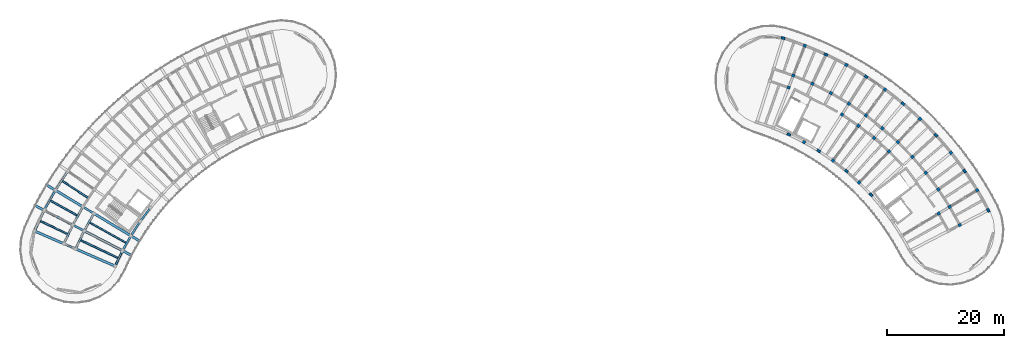
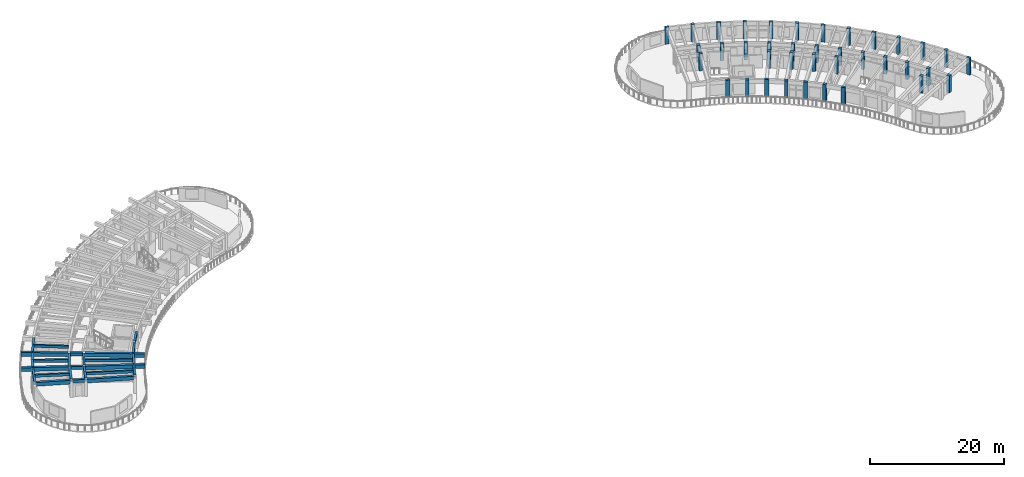
# One storey, part 2 of 32: 38 columns, 25 beams.
"""IFC4 building model written with IfcOpenShell, lengths in metres."""

from ifc_helpers import new_model, si_unit, direction, frame, origin, origin_2d, place, context, subcontext, project, spatial, rectangle, extrude, material, material_profile, profile_set, type_object, element, save


model = new_model("IFC4")

# Units and contexts
model_context = context("Model", 3, precision=1e-05, world=origin(), true_north=direction((0.0, 1.0)))
body_context = subcontext(model_context, "Body", "Model", "MODEL_VIEW")
ifc_project = project(units=[si_unit("LENGTHUNIT", "METRE"), si_unit("AREAUNIT", "SQUARE_METRE"), si_unit("VOLUMEUNIT", "CUBIC_METRE"), si_unit("PLANEANGLEUNIT", "RADIAN"), si_unit("MASSUNIT", "GRAM", prefix="KILO")], contexts=[model_context])

# Site, building, storey
site_placement = place(None, origin())
site = spatial("IfcSite", under=ifc_project, at=site_placement, CompositionType="ELEMENT")
building_placement = place(site_placement, origin())
building = spatial("IfcBuilding", under=site, at=building_placement, Name="Tanwirah Colonnade Gardens", CompositionType="ELEMENT")
storey_placement = place(building_placement, frame((0.0, 0.0, 42.43994140625)))
storey = spatial("IfcBuildingStorey", under=building, at=storey_placement, Name="L12", CompositionType="ELEMENT", Elevation=42.43994140625)

# Columns
ifc_material_1 = material(Name="Precast concrete C45/55", Category="concrete")
ifc_material_profile_1 = material_profile(ifc_material_1, rectangle(XDim=0.52001953125, YDim=0.52001953125, at=origin_2d()), Name="PC-COL 520x520")
ifc_profile_set_1 = profile_set([ifc_material_profile_1], Name="Precast concrete C45/55")
column_type_1 = type_object("IfcColumnType", Name="C-PC520", PredefinedType="COLUMN", material=ifc_profile_set_1)
for number, where, z_axis, x_axis, name in (
    (1, (169.015380859375, 85.01806640625, 0.0), (0.0, 0.0, 1.0), (0.88835024545, 0.459166463723, 0.0), "Block B L12 Column 3-R2"),
    (2, (165.392333984375, 86.990966796875, 0.0), (0.0, 0.0, 1.0), (0.856166891514, 0.516699384434, 0.0), "Block B L12 Column 4-R1"),
    (3, (167.27587890625, 88.127685546875, 0.0), (0.0, 0.0, 1.0), (0.856166891514, 0.516699384434, 0.0), "Block B L12 Column 4-R2"),
    (4, (171.984619140625, 90.969482421875, 0.0), (0.0, 0.0, 1.0), (0.856166891514, 0.516699384434, 0.0), "Block B L12 Column 4-R3"),
    (5, (165.335205078125, 91.115966796875, 0.0), (0.0, 0.0, 1.0), (0.820262803018, 0.571986830255, 0.0), "Block B L12 Column 5-R2"),
    (6, (163.201904296875, 93.9697265625, 0.0), (0.0, 0.0, 1.0), (0.780794012137, 0.624788532714, 0.0), "Block B L12 Column 6-R2"),
    (7, (167.496337890625, 97.40625, 0.0), (0.0, 0.0, 1.0), (0.780794012137, 0.624788532714, 0.0), "Block B L12 Column 6-R3"),
    (8, (160.88525390625, 96.677001953125, 0.0), (0.0, 0.0, 1.0), (0.73793204255, 0.674875025896, 0.0), "Block B L12 Column 7-R2"),
    (9, (151.75341796875, 92.294189453125, 0.0), (0.0, 0.0, 1.0), (0.691863164029, 0.722028643656, 0.0), "Block B L12 Column 8-R0"),
    (10, (156.873046875, 97.63720703125, 0.0), (0.0, 0.0, 1.0), (0.691863164029, 0.722028643656, 0.0), "Block B L12 Column 8-R1"),
    (11, (158.395263671875, 99.2255859375, 0.0), (0.0, 0.0, 1.0), (0.691863164029, 0.722028643656, 0.0), "Block B L12 Column 8-R2"),
    (12, (162.200439453125, 103.19677734375, 0.0), (0.0, 0.0, 1.0), (0.691863164029, 0.722028643656, 0.0), "Block B L12 Column 8-R3"),
    (13, (154.32861328125, 99.91943359375, 0.0), (0.0, 0.0, 1.0), (0.642787582947, 0.766044465556, 0.0), "Block B L12 Column 9-R1"),
    (14, (155.74267578125, 101.604736328125, 0.0), (0.0, 0.0, 1.0), (0.642787582947, 0.766044465556, 0.0), "Block B L12 Column 9-R2"),
    (15, (147.266357421875, 96.05908203125, 0.0), (0.0, 0.0, 1.0), (0.590918572221, 0.806731207407, 0.0), "Block B L12 Column 10-R0"),
    (16, (151.63916015625, 102.029052734375, 0.0), (0.0, 0.0, 1.0), (0.590918572221, 0.806731207407, 0.0), "Block B L12 Column 10-R1"),
    (17, (152.939208984375, 103.8037109375, 0.0), (0.0, 0.0, 1.0), (0.590918572221, 0.806731207407, 0.0), "Block B L12 Column 10-R2"),
    (18, (156.189208984375, 108.24072265625, 0.0), (0.0, 0.0, 1.0), (0.590918572221, 0.806731207407, 0.0), "Block B L12 Column 10-R3"),
    (19, (148.816650390625, 103.956787109375, 0.0), (0.0, 0.0, 1.0), (0.536481544469, 0.843912052553, 0.0), "Block B L12 Column 11-R1"),
    (20, (149.996826171875, 105.8134765625, 0.0), (0.0, 0.0, 1.0), (0.536481544469, 0.843912052553, 0.0), "Block B L12 Column 11-R2"),
    (21, (142.3232421875, 99.20166015625, 0.0), (0.0, 0.0, 1.0), (0.479713072413, 0.877425420281, 0.0), "Block B L12 Column 12-R0"),
    (22, (146.928466796875, 107.624755859375, 0.0), (0.0, 0.0, 1.0), (0.479713072413, 0.877425420281, 0.0), "Block B L12 Column 12-R2"),
    (23, (149.56689453125, 112.45068359375, 0.0), (0.0, 0.0, 1.0), (0.479713072413, 0.877425420281, 0.0), "Block B L12 Column 12-R3"),
    (24, (143.74755859375, 109.230224609375, 0.0), (0.0, 0.0, 1.0), (0.420859860775, 0.907125668024, 0.0), "Block B L12 Column 13-R2"),
    (25, (139.67529296875, 108.570068359375, 0.0), (0.0, 0.0, 1.0), (0.36017767415, 0.932883724289, 0.0), "Block B L12 Column 14-R1"),
    (26, (140.467529296875, 110.622314453125, 0.0), (0.0, 0.0, 1.0), (0.36017767415, 0.932883724289, 0.0), "Block B L12 Column 14-R2"),
    (27, (142.448486328125, 115.753173828125, 0.0), (0.0, 0.0, 1.0), (0.36017767415, 0.932883724289, 0.0), "Block B L12 Column 14-R3"),
):
    element("IfcColumn", number, at=place(storey_placement, frame(where, z_axis=z_axis, x_axis=x_axis)), inside=storey, type_object=column_type_1, Name=name, PredefinedType="COLUMN", context=body_context, shape_type="SweptSolid", body=[
        extrude(rectangle(XDim=0.52001953125, YDim=0.52001953125, at=origin_2d()), origin(), (0.0, 0.0, 1.0), 3.10009765625),
    ])
ifc_material_2 = material(Name="Precast concrete C40/50", Category="concrete")
ifc_material_profile_2 = material_profile(ifc_material_2, rectangle(XDim=0.389892578125, YDim=0.6298828125, at=origin_2d()), Name="PC-PIL 390x630")
ifc_profile_set_2 = profile_set([ifc_material_profile_2], Name="Precast concrete C40/50")
column_type_2 = type_object("IfcColumnType", Name="PIL-360", PredefinedType="PILASTER", material=ifc_profile_set_2)
for number, where, z_axis, x_axis, name in (
    (28, (173.9013671875, 87.54345703125, 0.0), (0.0, 0.0, 1.0), (0.88835024545, 0.459166463723, 0.0), "Block B L12 Column 3-R3"),
    (29, (169.8466796875, 94.26171875, 0.0), (0.0, 0.0, 1.0), (0.820262803018, 0.571986830255, 0.0), "Block B L12 Column 5-R3"),
    (30, (153.801025390625, 90.1982421875, 0.0), (0.0, 0.0, 1.0), (0.73793204255, 0.674875025896, 0.0), "Block B L12 Column 7-R0"),
    (31, (164.94384765625, 100.388916015625, 0.0), (0.0, 0.0, 1.0), (0.73793204255, 0.674875025896, 0.0), "Block B L12 Column 7-R3"),
    (32, (149.572021484375, 94.250732421875, 0.0), (0.0, 0.0, 1.0), (0.642787582947, 0.766044465556, 0.0), "Block B L12 Column 9-R0"),
    (33, (159.278076171875, 105.81787109375, 0.0), (0.0, 0.0, 1.0), (0.642787582947, 0.766044465556, 0.0), "Block B L12 Column 9-R3"),
    (34, (144.8466796875, 97.7119140625, 0.0), (0.0, 0.0, 1.0), (0.536481544469, 0.843912052553, 0.0), "Block B L12 Column 11-R0"),
    (35, (152.947509765625, 110.455078125, 0.0), (0.0, 0.0, 1.0), (0.536481544469, 0.843912052553, 0.0), "Block B L12 Column 11-R3"),
    (36, (139.707275390625, 100.521728515625, 0.0), (0.0, 0.0, 1.0), (0.420859860775, 0.907125668024, 0.0), "Block B L12 Column 13-R0"),
    (37, (146.062255859375, 114.21923828125, 0.0), (0.0, 0.0, 1.0), (0.420859860775, 0.907125668024, 0.0), "Block B L12 Column 13-R3"),
    (38, (138.74169921875, 117.045654296875, 0.0), (0.0, 0.0, 1.0), (0.297930225503, 0.954587649581, 0.0), "Block B L12 Column 15-R3"),
):
    element("IfcColumn", number, at=place(storey_placement, frame(where, z_axis=z_axis, x_axis=x_axis)), inside=storey, type_object=column_type_2, Name=name, PredefinedType="PILASTER", context=body_context, shape_type="SweptSolid", body=[
        extrude(rectangle(XDim=0.389892578125, YDim=0.6298828125, at=origin_2d()), origin(), (0.0, 0.0, 1.0), 3.10009765625),
    ])

# Beams
ifc_material_profile_3 = material_profile(ifc_material_2, rectangle(XDim=0.35009765625, YDim=0.550048828125, at=origin_2d()), Name="PC-BM 350x550")
ifc_profile_set_3 = profile_set([ifc_material_profile_3], Name="Precast concrete C40/50")
beam_type_1 = type_object("IfcBeamType", Name="BM-PC350A", PredefinedType="BEAM", material=ifc_profile_set_3)
for number, where, z_axis, x_axis, name in (
    (39, (20.479248046875, 87.068359375, 2.844970703125), (-0.856174920318, 0.516686080534, 0.0), (-0.516686080534, -0.856174920318, 0.0), "Block A L12 Corridor Tie Beam 14"),
    (40, (18.8056640625, 84.07666015625, 2.844970703125), (-0.888358643941, 0.459150214784, 0.0), (-0.459150214784, -0.888358643941, 0.0), "Block A L12 Corridor Tie Beam 15"),
    (41, (17.3330078125, 80.981201171875, 2.844970703125), (-0.916681481826, 0.399618644306, 0.0), (-0.399618644306, -0.916681481826, 0.0), "Block A L12 Corridor Tie Beam 16"),
):
    element("IfcBeam", number, at=place(storey_placement, frame(where, z_axis=z_axis, x_axis=x_axis)), inside=storey, type_object=beam_type_1, Name=name, PredefinedType="BEAM", context=body_context, shape_type="SweptSolid", body=[
        extrude(rectangle(XDim=0.35009765625, YDim=0.550048828125, at=origin_2d()), origin(), (0.0, 0.0, 1.0), 1.89990234375),
    ])
ifc_material_profile_4 = material_profile(ifc_material_2, rectangle(XDim=0.35009765625, YDim=0.60009765625, at=origin_2d()), Name="PC-BM 350x600")
ifc_profile_set_4 = profile_set([ifc_material_profile_4], Name="Precast concrete C40/50")
beam_type_2 = type_object("IfcBeamType", Name="BM-PC350B", PredefinedType="BEAM", material=ifc_profile_set_4)
beam_1_placement = place(storey_placement, frame((20.534423828125, 86.85986328125, 2.820068359375), z_axis=(-0.488200372352, -0.872731571811, 0.0), x_axis=(0.872731571811, -0.488200372352, 0.0)))
element("IfcBeam", 42, at=beam_1_placement, inside=storey, type_object=beam_type_2, Name="Block A L12 Circumferential Beam 14-R1", PredefinedType="BEAM", context=body_context, shape_type="SweptSolid", body=[
    extrude(rectangle(XDim=0.35009765625, YDim=0.60009765625, at=origin_2d()), origin(), (0.0, 0.0, 1.0), 3.117919921875),
])
beam_2_placement = place(storey_placement, frame((18.65087890625, 87.99658203125, 2.820068359375), z_axis=(-0.488213717102, -0.87272410671, 0.0), x_axis=(0.87272410671, -0.488213717102, 0.0)))
element("IfcBeam", 43, at=beam_2_placement, inside=storey, type_object=beam_type_2, Name="Block A L12 Circumferential Beam 14-R2", PredefinedType="BEAM", context=body_context, shape_type="SweptSolid", body=[
    extrude(rectangle(XDim=0.35009765625, YDim=0.60009765625, at=origin_2d()), origin(), (0.0, 0.0, 1.0), 3.262939453125),
])
beam_3_placement = place(storey_placement, frame((18.87451171875, 83.872314453125, 2.820068359375), z_axis=(-0.429620507728, -0.903009534468, 0.0), x_axis=(0.903009534468, -0.429620507728, 0.0)))
element("IfcBeam", 44, at=beam_3_placement, inside=storey, type_object=beam_type_2, Name="Block A L12 Circumferential Beam 15-R1", PredefinedType="BEAM", context=body_context, shape_type="SweptSolid", body=[
    extrude(rectangle(XDim=0.35009765625, YDim=0.60009765625, at=origin_2d()), origin(), (0.0, 0.0, 1.0), 3.1181640625),
])
beam_4_placement = place(storey_placement, frame((16.920166015625, 84.882568359375, 2.820068359375), z_axis=(-0.4295908638, -0.90302363742, 0.0), x_axis=(0.90302363742, -0.4295908638, 0.0)))
element("IfcBeam", 45, at=beam_4_placement, inside=storey, type_object=beam_type_2, Name="Block A L12 Circumferential Beam 15-R2", PredefinedType="BEAM", context=body_context, shape_type="SweptSolid", body=[
    extrude(rectangle(XDim=0.35009765625, YDim=0.60009765625, at=origin_2d()), origin(), (0.0, 0.0, 1.0), 3.26318359375),
])
ifc_material_profile_5 = material_profile(ifc_material_1, rectangle(XDim=0.419921875, YDim=0.679931640625, at=origin_2d()), Name="PC-BM 420x680")
ifc_profile_set_5 = profile_set([ifc_material_profile_5], Name="Precast concrete C45/55")
beam_type_3 = type_object("IfcBeamType", Name="BM-PC420", PredefinedType="BEAM", material=ifc_profile_set_5)
beam_5_placement = place(storey_placement, frame((20.736083984375, 86.913330078125, 2.780029296875), z_axis=(0.856168728297, -0.516696340887, 0.0), x_axis=(0.516696340887, 0.856168728297, 0.0)))
element("IfcBeam", 46, at=beam_5_placement, inside=storey, type_object=beam_type_3, Name="Block A L12 Inner Radial Precast Girder 14", PredefinedType="BEAM", context=body_context, shape_type="SweptSolid", body=[
    extrude(rectangle(XDim=0.419921875, YDim=0.679931640625, at=origin_2d()), origin(), (0.0, 0.0, 1.0), 8.9501953125),
])
beam_6_placement = place(storey_placement, frame((18.595703125, 88.205078125, 2.780029296875), z_axis=(-0.856157813984, 0.516714425533, 0.0), x_axis=(-0.516714425533, -0.856157813984, 0.0)))
element("IfcBeam", 47, at=beam_6_placement, inside=storey, type_object=beam_type_3, Name="Block A L12 Outer Radial Precast Girder 14", PredefinedType="BEAM", context=body_context, shape_type="SweptSolid", body=[
    extrude(rectangle(XDim=0.419921875, YDim=0.679931640625, at=origin_2d()), origin(), (0.0, 0.0, 1.0), 7.050048828125),
])
beam_7_placement = place(storey_placement, frame((19.072265625, 83.93896484375, 2.780029296875), z_axis=(0.888345427876, -0.459175784175, 0.0), x_axis=(0.459175784175, 0.888345427876, 0.0)))
element("IfcBeam", 48, at=beam_7_placement, inside=storey, type_object=beam_type_3, Name="Block A L12 Inner Radial Precast Girder 15", PredefinedType="BEAM", context=body_context, shape_type="SweptSolid", body=[
    extrude(rectangle(XDim=0.419921875, YDim=0.679931640625, at=origin_2d()), origin(), (0.0, 0.0, 1.0), 8.949951171875),
])
beam_8_placement = place(storey_placement, frame((16.851318359375, 85.0869140625, 2.780029296875), z_axis=(-0.888348690665, 0.459169471758, 0.0), x_axis=(-0.459169471758, -0.888348690665, 0.0)))
element("IfcBeam", 49, at=beam_8_placement, inside=storey, type_object=beam_type_3, Name="Block A L12 Outer Radial Precast Girder 15", PredefinedType="BEAM", context=body_context, shape_type="SweptSolid", body=[
    extrude(rectangle(XDim=0.419921875, YDim=0.679931640625, at=origin_2d()), origin(), (0.0, 0.0, 1.0), 7.0498046875),
])
beam_9_placement = place(storey_placement, frame((17.60791015625, 80.861328125, 2.780029296875), z_axis=(0.916678201221, -0.399626169571, 0.0), x_axis=(0.399626169571, 0.916678201221, 0.0)))
element("IfcBeam", 50, at=beam_9_placement, inside=storey, type_object=beam_type_3, Name="Block A L12 Inner Radial Precast Girder 16", PredefinedType="BEAM", context=body_context, shape_type="SweptSolid", body=[
    extrude(rectangle(XDim=0.419921875, YDim=0.679931640625, at=origin_2d()), origin(), (0.0, 0.0, 1.0), 7.10009765625),
])
beam_10_placement = place(storey_placement, frame((15.31640625, 81.8603515625, 2.780029296875), z_axis=(-0.916677002552, 0.399628919115, 0.0), x_axis=(-0.399628919115, -0.916677002552, 0.0)))
element("IfcBeam", 51, at=beam_10_placement, inside=storey, type_object=beam_type_3, Name="Block A L12 Outer Radial Precast Girder 16", PredefinedType="BEAM", context=body_context, shape_type="SweptSolid", body=[
    extrude(rectangle(XDim=0.419921875, YDim=0.679931640625, at=origin_2d()), origin(), (0.0, 0.0, 1.0), 5.2001953125),
])
ifc_material_profile_6 = material_profile(ifc_material_2, rectangle(XDim=0.280029296875, YDim=0.47998046875, at=origin_2d()), Name="PC-JST 280x480")
ifc_profile_set_6 = profile_set([ifc_material_profile_6], Name="Precast concrete C40/50")
beam_type_4 = type_object("IfcBeamType", Name="JST-PC280", PredefinedType="JOIST", material=ifc_profile_set_6)
beam_11_placement = place(storey_placement, frame((19.5693359375, 89.703125, 2.880126953125), z_axis=(-0.83868742622, 0.544613074669, 0.0), x_axis=(-0.544613074669, -0.83868742622, 0.0)))
element("IfcBeam", 52, at=beam_11_placement, inside=storey, type_object=beam_type_4, Name="Block A L12 Precast Floor Joist 13", PredefinedType="JOIST", context=body_context, shape_type="SweptSolid", body=[
    extrude(rectangle(XDim=0.280029296875, YDim=0.47998046875, at=origin_2d()), origin(), (0.0, 0.0, 1.0), 5.26025390625),
])
beam_12_placement = place(storey_placement, frame((17.72412109375, 86.645751953125, 2.880126953125), z_axis=(-0.872737031138, 0.488190612855, 0.0), x_axis=(-0.488190612855, -0.872737031138, 0.0)))
element("IfcBeam", 53, at=beam_12_placement, inside=storey, type_object=beam_type_4, Name="Block A L12 Precast Floor Joist 14", PredefinedType="JOIST", context=body_context, shape_type="SweptSolid", body=[
    extrude(rectangle(XDim=0.280029296875, YDim=0.47998046875, at=origin_2d()), origin(), (0.0, 0.0, 1.0), 5.260009765625),
])
beam_13_placement = place(storey_placement, frame((26.102294921875, 81.958984375, 2.880126953125), z_axis=(-0.872726875563, 0.488208767506, 0.0), x_axis=(-0.488208767506, -0.872726875563, 0.0)))
element("IfcBeam", 54, at=beam_13_placement, inside=storey, type_object=beam_type_4, Name="Block A L12 Inner Precast Floor Joist 14", PredefinedType="JOIST", context=body_context, shape_type="SweptSolid", body=[
    extrude(rectangle(XDim=0.280029296875, YDim=0.47998046875, at=origin_2d()), origin(), (0.0, 0.0, 1.0), 7.16015625),
])
beam_14_placement = place(storey_placement, frame((16.08447265625, 83.473388671875, 2.880126953125), z_axis=(-0.903018314862, 0.429602051931, 0.0), x_axis=(-0.429602051931, -0.903018314862, 0.0)))
element("IfcBeam", 55, at=beam_14_placement, inside=storey, type_object=beam_type_4, Name="Block A L12 Precast Floor Joist 15", PredefinedType="JOIST", context=body_context, shape_type="SweptSolid", body=[
    extrude(rectangle(XDim=0.280029296875, YDim=0.47998046875, at=origin_2d()), origin(), (0.0, 0.0, 1.0), 5.26025390625),
])
beam_15_placement = place(storey_placement, frame((24.753173828125, 79.348876953125, 2.880126953125), z_axis=(-0.903005429363, 0.429629136048, 0.0), x_axis=(-0.429629136048, -0.903005429363, 0.0)))
element("IfcBeam", 56, at=beam_15_placement, inside=storey, type_object=beam_type_4, Name="Block A L12 Inner Precast Floor Joist 15", PredefinedType="JOIST", context=body_context, shape_type="SweptSolid", body=[
    extrude(rectangle(XDim=0.280029296875, YDim=0.47998046875, at=origin_2d()), origin(), (0.0, 0.0, 1.0), 7.16015625),
])
ifc_material_profile_7 = material_profile(ifc_material_1, rectangle(XDim=0.320068359375, YDim=0.679931640625, at=origin_2d()), Name="PC-SP 320x680")
ifc_profile_set_7 = profile_set([ifc_material_profile_7], Name="Precast concrete C45/55")
beam_type_5 = type_object("IfcBeamType", Name="SP-PC320", PredefinedType="SPANDREL", material=ifc_profile_set_7)
for number, where, z_axis, x_axis, name in (
    (57, (30.203857421875, 87.851806640625, 2.780029296875), (-0.598662613551, -0.80100129534, 0.0), (0.80100129534, -0.598662613551, 0.0), "Block A L12 Circumferential Beam 12-R0"),
    (58, (28.45751953125, 85.4990234375, 2.780029296875), (-0.544570677829, -0.838714955661, 0.0), (0.838714955661, -0.544570677829, 0.0), "Block A L12 Circumferential Beam 13-R0"),
):
    element("IfcBeam", number, at=place(storey_placement, frame(where, z_axis=z_axis, x_axis=x_axis)), inside=storey, type_object=beam_type_5, Name=name, PredefinedType="SPANDREL", context=body_context, shape_type="SweptSolid", body=[
        extrude(rectangle(XDim=0.320068359375, YDim=0.679931640625, at=origin_2d()), origin(), (0.0, 0.0, 1.0), 2.63037109375),
    ])
beam_16_placement = place(storey_placement, frame((16.071533203125, 94.135986328125, 2.780029296875), z_axis=(-0.544621436184, -0.838681996497, 0.0), x_axis=(0.838681996497, -0.544621436184, 0.0)))
element("IfcBeam", 59, at=beam_16_placement, inside=storey, type_object=beam_type_5, Name="Block A L12 Circumferential Beam 13-R3", PredefinedType="SPANDREL", context=body_context, shape_type="SweptSolid", body=[
    extrude(rectangle(XDim=0.320068359375, YDim=0.679931640625, at=origin_2d()), origin(), (0.0, 0.0, 1.0), 3.625732421875),
])
beam_17_placement = place(storey_placement, frame((26.8701171875, 83.036376953125, 2.780029296875), z_axis=(-0.488170837957, -0.872748092503, 0.0), x_axis=(0.872748092503, -0.488170837957, 0.0)))
element("IfcBeam", 60, at=beam_17_placement, inside=storey, type_object=beam_type_5, Name="Block A L12 Circumferential Beam 14-R0", PredefinedType="SPANDREL", context=body_context, shape_type="SweptSolid", body=[
    extrude(rectangle(XDim=0.320068359375, YDim=0.679931640625, at=origin_2d()), origin(), (0.0, 0.0, 1.0), 2.630126953125),
])
beam_18_placement = place(storey_placement, frame((13.942138671875, 90.838623046875, 2.780029296875), z_axis=(-0.488236312193, -0.872711466326, 0.0), x_axis=(0.872711466326, -0.488236312193, 0.0)))
element("IfcBeam", 61, at=beam_18_placement, inside=storey, type_object=beam_type_5, Name="Block A L12 Circumferential Beam 14-R3", PredefinedType="SPANDREL", context=body_context, shape_type="SweptSolid", body=[
    extrude(rectangle(XDim=0.320068359375, YDim=0.679931640625, at=origin_2d()), origin(), (0.0, 0.0, 1.0), 3.625732421875),
])
beam_19_placement = place(storey_placement, frame((25.448486328125, 80.474609375, 2.780029296875), z_axis=(-0.42964173036, -0.902999437172, 0.0), x_axis=(0.902999437172, -0.42964173036, 0.0)))
element("IfcBeam", 62, at=beam_19_placement, inside=storey, type_object=beam_type_5, Name="Block A L12 Circumferential Beam 15-R0", PredefinedType="SPANDREL", context=body_context, shape_type="SweptSolid", body=[
    extrude(rectangle(XDim=0.320068359375, YDim=0.679931640625, at=origin_2d()), origin(), (0.0, 0.0, 1.0), 2.63037109375),
])
beam_20_placement = place(storey_placement, frame((12.0341796875, 87.407958984375, 2.780029296875), z_axis=(-0.429593766142, -0.903022256698, 0.0), x_axis=(0.903022256698, -0.429593766142, 0.0)))
element("IfcBeam", 63, at=beam_20_placement, inside=storey, type_object=beam_type_5, Name="Block A L12 Circumferential Beam 15-R3", PredefinedType="SPANDREL", context=body_context, shape_type="SweptSolid", body=[
    extrude(rectangle(XDim=0.320068359375, YDim=0.679931640625, at=origin_2d()), origin(), (0.0, 0.0, 1.0), 3.625732421875),
])

save(model, "model.ifc")
